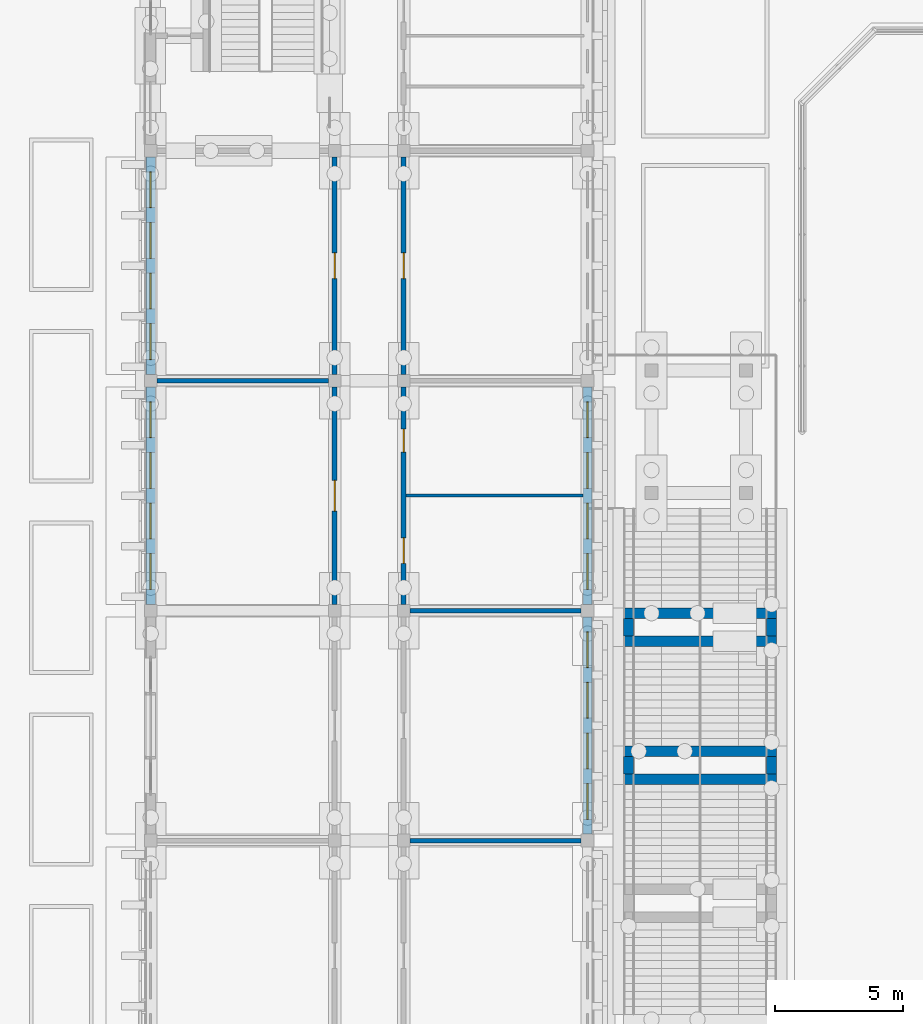
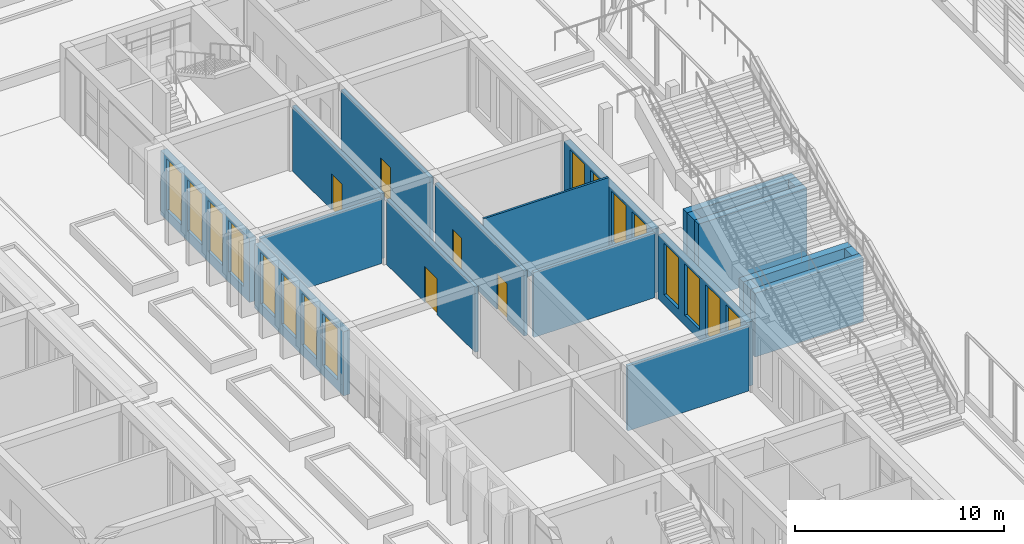
# One storey, part 72 of 161: 20 walls, 16 windows, 5 doors, 21 openings.
"""IFC4 building model written with IfcOpenShell, lengths in metres."""

from ifc_helpers import new_model, si_unit, direction, frame, frame_2d, origin, place, context, subcontext, project, spatial, rectangle, extrude, material, layer, layer_set, type_object, element, fill, save


model = new_model("IFC4")

# Units and contexts
model_context = context("Model", 3, precision=1e-05, world=origin(), true_north=direction((0.0, 1.0)))
body_context = subcontext(model_context, "Body", "Model", "MODEL_VIEW")
ifc_project = project(units=[si_unit("LENGTHUNIT", "METRE"), si_unit("AREAUNIT", "SQUARE_METRE"), si_unit("VOLUMEUNIT", "CUBIC_METRE"), si_unit("PLANEANGLEUNIT", "RADIAN"), si_unit("MASSUNIT", "GRAM", prefix="KILO")], contexts=[model_context])

# Site, building, storey
site_placement = place(None, origin())
site = spatial("IfcSite", under=ifc_project, at=site_placement, CompositionType="ELEMENT")
building_placement = place(site_placement, origin())
building = spatial("IfcBuilding", under=site, at=building_placement, Name="Elbe Cascade School", CompositionType="ELEMENT")
storey_placement = place(building_placement, origin())
storey = spatial("IfcBuildingStorey", under=building, at=storey_placement, Name="L00", CompositionType="ELEMENT", Elevation=0.0)

# Walls
ifc_material_1 = material(Name="Masonry - lime-sand block, plastered", Category="masonry")
ifc_layer_1 = layer(ifc_material_1, 0.175048828125)
ifc_layer_set_1 = layer_set([ifc_layer_1], Name="Masonry - lime-sand block, plastered")
wall_type_1 = type_object("IfcWallType", Name="Bar classroom partition wall lime-sand block 175", PredefinedType="PARTITIONING", material=ifc_layer_set_1)
for number, where, z_axis, x_axis, name in (
    (1, (158.050048828125, 42.0, 0.0), (0.0, 0.0, 1.0), (1.0, 0.0, 0.0), "Bar classroom partition wall lime-sand block 175"),
    (2, (167.949951171875, 24.0, 0.0), (0.0, 0.0, 1.0), (1.0, 0.0, 0.0), "Bar classroom partition wall lime-sand block 175"),
    (3, (167.949951171875, 33.0, 0.0), (0.0, 0.0, 1.0), (1.0, 0.0, 0.0), "Bar classroom partition wall lime-sand block 175"),
):
    element("IfcWall", number, at=place(storey_placement, frame(where, z_axis=z_axis, x_axis=x_axis)), inside=storey, type_object=wall_type_1, Name=name, PredefinedType="PARTITIONING", context=body_context, shape_type="SweptSolid", body=[
        extrude(rectangle(XDim=6.699951171875, YDim=0.175048828125, at=frame_2d((3.35009765625, 0.0))), origin(), (0.0, 0.0, 1.0), 3.800048828125),
    ])

# Wall, opening, door
ifc_material_2 = material(Name="Masonry - lime-sand block, plastered", Category="masonry")
ifc_layer_2 = layer(ifc_material_2, 0.199951171875)
ifc_layer_set_2 = layer_set([ifc_layer_2], Name="Masonry - lime-sand block, plastered")
wall_type_2 = type_object("IfcWallType", Name="Bar corridor wall lime-sand block 200 EI 30", PredefinedType="PARTITIONING", material=ifc_layer_set_2)
wall_1_placement = place(storey_placement, frame((165.0, 33.25, 0.0), z_axis=(0.0, 0.0, 1.0), x_axis=(0.0, 1.0, 0.0)))
wall_1 = element("IfcWall", 4, at=wall_1_placement, inside=storey, type_object=wall_type_2, Name="Bar corridor wall lime-sand block 200 EI 30", PredefinedType="PARTITIONING", context=body_context, shape_type="SweptSolid", body=[
    extrude(rectangle(XDim=8.5, YDim=0.199951171875, at=frame_2d((4.25, 0.0))), origin(), (0.0, 0.0, 1.0), 3.800048828125),
])
opening_1_placement = place(wall_1_placement, frame((3.64990234375, 0.0, 0.0)))
opening_1 = element("IfcOpeningElement", 5, at=opening_1_placement, cuts=wall_1, Name="Opening D0.114", PredefinedType="OPENING", context=body_context, shape_type="SweptSolid", body=[
    extrude(rectangle(XDim=1.199951171875, YDim=2.10009765625, at=frame_2d((0.60009765625, 1.050048828125))), frame((0.0, 0.10986328125, 0.0), z_axis=(0.0, -1.0, 0.0), x_axis=(1.0, 0.0, 0.0)), (0.0, 0.0, 1.0), 0.219970703125),
])
ifc_material_3 = material(Name="Timber door leaf, fire-resisting, steel frame", Category="steel")
door_type_1 = type_object("IfcDoorType", Name="Bar door FD30 1200x2100", OperationType="NOTDEFINED", PredefinedType="DOOR", material=ifc_material_3)
door_1_placement = place(opening_1_placement, origin())
door_1 = element("IfcDoor", 6, at=door_1_placement, inside=storey, type_object=door_type_1, Name="Door D0.20b", OperationType="SINGLE_SWING_RIGHT", OverallHeight=2.10009765625, OverallWidth=1.199951171875, PredefinedType="DOOR", context=body_context, shape_type="SweptSolid", body=[
    extrude(rectangle(XDim=1.199951171875, YDim=2.10009765625, at=frame_2d((0.60009765625, 1.050048828125))), frame((0.0, 0.02490234375, 0.0), z_axis=(0.0, -1.0, 0.0), x_axis=(1.0, 0.0, 0.0)), (0.0, 0.0, 1.0), 0.050048828125),
])
fill(opening_1, door_1)

wall_2_placement = place(storey_placement, frame((165.0, 42.25, 0.0), z_axis=(0.0, 0.0, 1.0), x_axis=(0.0, 1.0, 0.0)))
wall_2 = element("IfcWall", 7, at=wall_2_placement, inside=storey, type_object=wall_type_2, Name="Bar corridor wall lime-sand block 200 EI 30", PredefinedType="PARTITIONING", context=body_context, shape_type="SweptSolid", body=[
    extrude(rectangle(XDim=8.5, YDim=0.199951171875, at=frame_2d((4.25, 0.0))), origin(), (0.0, 0.0, 1.0), 3.800048828125),
])
opening_2_placement = place(wall_2_placement, frame((3.75, 0.0, 0.0)))
opening_2 = element("IfcOpeningElement", 8, at=opening_2_placement, cuts=wall_2, Name="Opening D0.116", PredefinedType="OPENING", context=body_context, shape_type="SweptSolid", body=[
    extrude(rectangle(XDim=1.0, YDim=2.10009765625, at=frame_2d((0.5, 1.050048828125))), frame((0.0, 0.10986328125, 0.0), z_axis=(0.0, -1.0, 0.0), x_axis=(1.0, 0.0, 0.0)), (0.0, 0.0, 1.0), 0.219970703125),
])
ifc_material_4 = material(Name="Timber door leaf, fire-resisting, steel frame", Category="steel")
door_type_2 = type_object("IfcDoorType", Name="Bar door FD30 1000x2100", OperationType="NOTDEFINED", PredefinedType="DOOR", material=ifc_material_4)
door_2_placement = place(opening_2_placement, origin())
door_2 = element("IfcDoor", 9, at=door_2_placement, inside=storey, type_object=door_type_2, Name="Door D0.21", OperationType="SINGLE_SWING_RIGHT", OverallHeight=2.10009765625, OverallWidth=1.0, PredefinedType="DOOR", context=body_context, shape_type="SweptSolid", body=[
    extrude(rectangle(XDim=1.0, YDim=2.10009765625, at=frame_2d((0.5, 1.050048828125))), frame((0.0, 0.02490234375, 0.0), z_axis=(0.0, -1.0, 0.0), x_axis=(1.0, 0.0, 0.0)), (0.0, 0.0, 1.0), 0.050048828125),
])
fill(opening_2, door_2)

# Wall, openings, doors
wall_3_placement = place(storey_placement, frame((167.699951171875, 41.75, 0.0), z_axis=(0.0, 0.0, 1.0), x_axis=(0.0, -1.0, 0.0)))
wall_3 = element("IfcWall", 10, at=wall_3_placement, inside=storey, type_object=wall_type_2, Name="Bar corridor wall lime-sand block 200 EI 30", PredefinedType="PARTITIONING", context=body_context, shape_type="SweptSolid", body=[
    extrude(rectangle(XDim=8.5, YDim=0.199951171875, at=frame_2d((4.25, 0.0))), origin(), (0.0, 0.0, 1.0), 3.800048828125),
])
opening_3_placement = place(wall_3_placement, frame((5.90380859375, 0.0, 0.0)))
opening_3 = element("IfcOpeningElement", 11, at=opening_3_placement, cuts=wall_3, Name="Opening D0.113", PredefinedType="OPENING", context=body_context, shape_type="SweptSolid", body=[
    extrude(rectangle(XDim=1.0, YDim=2.10009765625, at=frame_2d((0.5, 1.050048828125))), frame((0.0, 0.10986328125, 0.0), z_axis=(0.0, -1.0, 0.0), x_axis=(1.0, 0.0, 0.0)), (0.0, 0.0, 1.0), 0.219970703125),
])
opening_4_placement = place(wall_3_placement, frame((1.646240234375, 0.0, 0.0)))
opening_4 = element("IfcOpeningElement", 12, at=opening_4_placement, cuts=wall_3, Name="Opening D0.115", PredefinedType="OPENING", context=body_context, shape_type="SweptSolid", body=[
    extrude(rectangle(XDim=0.89990234375, YDim=2.10009765625, at=frame_2d((0.449951171875, 1.050048828125))), frame((0.0, 0.10986328125, 0.0), z_axis=(0.0, -1.0, 0.0), x_axis=(1.0, 0.0, 0.0)), (0.0, 0.0, 1.0), 0.219970703125),
])
door_3_placement = place(opening_3_placement, origin())
door_3 = element("IfcDoor", 13, at=door_3_placement, inside=storey, type_object=door_type_2, Name="Door D0.24", OperationType="SINGLE_SWING_LEFT", OverallHeight=2.10009765625, OverallWidth=1.0, PredefinedType="DOOR", context=body_context, shape_type="SweptSolid", body=[
    extrude(rectangle(XDim=1.0, YDim=2.10009765625, at=frame_2d((0.5, 1.050048828125))), frame((0.0, 0.02490234375, 0.0), z_axis=(0.0, -1.0, 0.0), x_axis=(1.0, 0.0, 0.0)), (0.0, 0.0, 1.0), 0.050048828125),
])
fill(opening_3, door_3)
ifc_material_5 = material(Name="Timber door leaf, fire-resisting, steel frame", Category="steel")
door_type_3 = type_object("IfcDoorType", Name="Bar door FD30 900x2100", OperationType="NOTDEFINED", PredefinedType="DOOR", material=ifc_material_5)
door_4_placement = place(opening_4_placement, origin())
door_4 = element("IfcDoor", 14, at=door_4_placement, inside=storey, type_object=door_type_3, Name="Door D0.25", OperationType="SINGLE_SWING_RIGHT", OverallHeight=2.10009765625, OverallWidth=0.89990234375, PredefinedType="DOOR", context=body_context, shape_type="SweptSolid", body=[
    extrude(rectangle(XDim=0.89990234375, YDim=2.10009765625, at=frame_2d((0.449951171875, 1.050048828125))), frame((0.0, 0.02490234375, 0.0), z_axis=(0.0, -1.0, 0.0), x_axis=(1.0, 0.0, 0.0)), (0.0, 0.0, 1.0), 0.050048828125),
])
fill(opening_4, door_4)

# Wall, opening, door
wall_4_placement = place(storey_placement, frame((167.699951171875, 50.75, 0.0), z_axis=(0.0, 0.0, 1.0), x_axis=(0.0, -1.0, 0.0)))
wall_4 = element("IfcWall", 15, at=wall_4_placement, inside=storey, type_object=wall_type_2, Name="Bar corridor wall lime-sand block 200 EI 30", PredefinedType="PARTITIONING", context=body_context, shape_type="SweptSolid", body=[
    extrude(rectangle(XDim=8.5, YDim=0.199951171875, at=frame_2d((4.25, 0.0))), origin(), (0.0, 0.0, 1.0), 3.800048828125),
])
opening_5_placement = place(wall_4_placement, frame((3.75, 0.0, 0.0)))
opening_5 = element("IfcOpeningElement", 16, at=opening_5_placement, cuts=wall_4, Name="Opening D0.117", PredefinedType="OPENING", context=body_context, shape_type="SweptSolid", body=[
    extrude(rectangle(XDim=1.0, YDim=2.10009765625, at=frame_2d((0.5, 1.050048828125))), frame((0.0, 0.10986328125, 0.0), z_axis=(0.0, -1.0, 0.0), x_axis=(1.0, 0.0, 0.0)), (0.0, 0.0, 1.0), 0.219970703125),
])
door_5_placement = place(opening_5_placement, origin())
door_5 = element("IfcDoor", 17, at=door_5_placement, inside=storey, type_object=door_type_2, Name="Door D0.26", OperationType="SINGLE_SWING_LEFT", OverallHeight=2.10009765625, OverallWidth=1.0, PredefinedType="DOOR", context=body_context, shape_type="SweptSolid", body=[
    extrude(rectangle(XDim=1.0, YDim=2.10009765625, at=frame_2d((0.5, 1.050048828125))), frame((0.0, 0.02490234375, 0.0), z_axis=(0.0, -1.0, 0.0), x_axis=(1.0, 0.0, 0.0)), (0.0, 0.0, 1.0), 0.050048828125),
])
fill(opening_5, door_5)

# Wall
ifc_material_6 = material(Name="Masonry - lime-sand block, plastered", Category="masonry")
ifc_layer_3 = layer(ifc_material_6, 0.114990234375)
ifc_layer_set_3 = layer_set([ifc_layer_3], Name="Masonry - lime-sand block, plastered")
wall_type_3 = type_object("IfcWallType", Name="Bar light partition wall lime-sand block 115", PredefinedType="PARTITIONING", material=ifc_layer_set_3)
wall_5_placement = place(storey_placement, frame((167.800048828125, 37.5, 0.0), z_axis=(0.0, 0.0, 1.0), x_axis=(1.0, 0.0, 0.0)))
element("IfcWall", 18, at=wall_5_placement, inside=storey, type_object=wall_type_3, Name="Bar light partition wall lime-sand block 115", PredefinedType="PARTITIONING", context=body_context, shape_type="SweptSolid", body=[
    extrude(rectangle(XDim=6.919921875, YDim=0.114990234375, at=frame_2d((3.4599609375, 0.0))), origin(), (0.0, 0.0, 1.0), 4.25),
])

# Wall, openings, windows
ifc_material_7 = material(Name="Brick masonry - red clinker, cavity wall with render backing", Category="masonry")
ifc_layer_4 = layer(ifc_material_7, 0.360107421875)
ifc_layer_set_4 = layer_set([ifc_layer_4], Name="Brick masonry - red clinker, cavity wall with render backing")
wall_type_4 = type_object("IfcWallType", Name="Bars envelope External wall - clinker brick cavity, 360 ground floor", PredefinedType="STANDARD", material=ifc_layer_set_4)
wall_6_placement = place(storey_placement, frame((157.800048828125, 33.25, 0.0), z_axis=(0.0, 0.0, 1.0), x_axis=(0.0, 1.0, 0.0)))
wall_6 = element("IfcWall", 19, at=wall_6_placement, inside=storey, type_object=wall_type_4, Name="External wall W29 D.L00.w4", PredefinedType="STANDARD", context=body_context, shape_type="SweptSolid", body=[
    extrude(rectangle(XDim=8.5, YDim=0.360107421875, at=frame_2d((4.25, 0.0))), origin(), (0.0, 0.0, 1.0), 3.75),
])
opening_6_placement = place(wall_6_placement, frame((0.580078125, 0.0, 0.60009765625)))
opening_6 = element("IfcOpeningElement", 20, at=opening_6_placement, cuts=wall_6, Name="Opening W0.105", PredefinedType="OPENING", context=body_context, shape_type="SweptSolid", body=[
    extrude(rectangle(XDim=1.39990234375, YDim=3.0, at=frame_2d((0.699951171875, 1.5))), frame((0.0, 0.18994140625, 0.0), z_axis=(0.0, -1.0, 0.0), x_axis=(1.0, 0.0, 0.0)), (0.0, 0.0, 1.0), 0.380126953125),
])
opening_7_placement = place(wall_6_placement, frame((2.56005859375, 0.0, 0.60009765625)))
opening_7 = element("IfcOpeningElement", 21, at=opening_7_placement, cuts=wall_6, Name="Opening W0.107", PredefinedType="OPENING", context=body_context, shape_type="SweptSolid", body=[
    extrude(rectangle(XDim=1.39990234375, YDim=3.0, at=frame_2d((0.699951171875, 1.5))), frame((0.0, 0.18994140625, 0.0), z_axis=(0.0, -1.0, 0.0), x_axis=(1.0, 0.0, 0.0)), (0.0, 0.0, 1.0), 0.380126953125),
])
opening_8_placement = place(wall_6_placement, frame((4.5400390625, 0.0, 0.60009765625)))
opening_8 = element("IfcOpeningElement", 22, at=opening_8_placement, cuts=wall_6, Name="Opening W0.109", PredefinedType="OPENING", context=body_context, shape_type="SweptSolid", body=[
    extrude(rectangle(XDim=1.39990234375, YDim=3.0, at=frame_2d((0.699951171875, 1.5))), frame((0.0, 0.18994140625, 0.0), z_axis=(0.0, -1.0, 0.0), x_axis=(1.0, 0.0, 0.0)), (0.0, 0.0, 1.0), 0.380126953125),
])
opening_9_placement = place(wall_6_placement, frame((6.52001953125, 0.0, 0.60009765625)))
opening_9 = element("IfcOpeningElement", 23, at=opening_9_placement, cuts=wall_6, Name="Opening W0.111", PredefinedType="OPENING", context=body_context, shape_type="SweptSolid", body=[
    extrude(rectangle(XDim=1.39990234375, YDim=3.0, at=frame_2d((0.699951171875, 1.5))), frame((0.0, 0.18994140625, 0.0), z_axis=(0.0, -1.0, 0.0), x_axis=(1.0, 0.0, 0.0)), (0.0, 0.0, 1.0), 0.380126953125),
])
ifc_material_8 = material(Name="Aluminium frame with double glazing, bronze anodised", Category="aluminium")
window_type_1 = type_object("IfcWindowType", Name="Bars envelope Window 1400 x 3000, classroom, aluminium double glazed", PartitioningType="DOUBLE_PANEL_VERTICAL", PredefinedType="WINDOW", material=ifc_material_8)
window_1_placement = place(opening_6_placement, origin())
window_1 = element("IfcWindow", 24, at=window_1_placement, inside=storey, type_object=window_type_1, Name="Window WN12 D.L00.w4.1", OverallHeight=3.0, OverallWidth=1.39990234375, PartitioningType="DOUBLE_PANEL_VERTICAL", PredefinedType="WINDOW", context=body_context, shape_type="SweptSolid", body=[
    extrude(rectangle(XDim=1.39990234375, YDim=3.0, at=frame_2d((0.699951171875, 1.5))), frame((0.0, 0.030029296875, 0.0), z_axis=(0.0, -1.0, 0.0), x_axis=(1.0, 0.0, 0.0)), (0.0, 0.0, 1.0), 0.06005859375),
])
fill(opening_6, window_1)
window_2_placement = place(opening_7_placement, origin())
window_2 = element("IfcWindow", 25, at=window_2_placement, inside=storey, type_object=window_type_1, Name="Window WN12 D.L00.w4.2", OverallHeight=3.0, OverallWidth=1.39990234375, PartitioningType="DOUBLE_PANEL_VERTICAL", PredefinedType="WINDOW", context=body_context, shape_type="SweptSolid", body=[
    extrude(rectangle(XDim=1.39990234375, YDim=3.0, at=frame_2d((0.699951171875, 1.5))), frame((0.0, 0.030029296875, 0.0), z_axis=(0.0, -1.0, 0.0), x_axis=(1.0, 0.0, 0.0)), (0.0, 0.0, 1.0), 0.06005859375),
])
fill(opening_7, window_2)
window_3_placement = place(opening_8_placement, origin())
window_3 = element("IfcWindow", 26, at=window_3_placement, inside=storey, type_object=window_type_1, Name="Window WN12 D.L00.w4.3", OverallHeight=3.0, OverallWidth=1.39990234375, PartitioningType="DOUBLE_PANEL_VERTICAL", PredefinedType="WINDOW", context=body_context, shape_type="SweptSolid", body=[
    extrude(rectangle(XDim=1.39990234375, YDim=3.0, at=frame_2d((0.699951171875, 1.5))), frame((0.0, 0.030029296875, 0.0), z_axis=(0.0, -1.0, 0.0), x_axis=(1.0, 0.0, 0.0)), (0.0, 0.0, 1.0), 0.06005859375),
])
fill(opening_8, window_3)
window_4_placement = place(opening_9_placement, origin())
window_4 = element("IfcWindow", 27, at=window_4_placement, inside=storey, type_object=window_type_1, Name="Window WN12 D.L00.w4.4", OverallHeight=3.0, OverallWidth=1.39990234375, PartitioningType="DOUBLE_PANEL_VERTICAL", PredefinedType="WINDOW", context=body_context, shape_type="SweptSolid", body=[
    extrude(rectangle(XDim=1.39990234375, YDim=3.0, at=frame_2d((0.699951171875, 1.5))), frame((0.0, 0.030029296875, 0.0), z_axis=(0.0, -1.0, 0.0), x_axis=(1.0, 0.0, 0.0)), (0.0, 0.0, 1.0), 0.06005859375),
])
fill(opening_9, window_4)

wall_7_placement = place(storey_placement, frame((157.800048828125, 42.25, 0.0), z_axis=(0.0, 0.0, 1.0), x_axis=(0.0, 1.0, 0.0)))
wall_7 = element("IfcWall", 28, at=wall_7_placement, inside=storey, type_object=wall_type_4, Name="External wall W29 D.L00.w5", PredefinedType="STANDARD", context=body_context, shape_type="SweptSolid", body=[
    extrude(rectangle(XDim=8.5, YDim=0.360107421875, at=frame_2d((4.25, 0.0))), origin(), (0.0, 0.0, 1.0), 3.75),
])
opening_10_placement = place(wall_7_placement, frame((0.580078125, 0.0, 0.60009765625)))
opening_10 = element("IfcOpeningElement", 29, at=opening_10_placement, cuts=wall_7, Name="Opening W0.113", PredefinedType="OPENING", context=body_context, shape_type="SweptSolid", body=[
    extrude(rectangle(XDim=1.39990234375, YDim=3.0, at=frame_2d((0.699951171875, 1.5))), frame((0.0, 0.18994140625, 0.0), z_axis=(0.0, -1.0, 0.0), x_axis=(1.0, 0.0, 0.0)), (0.0, 0.0, 1.0), 0.380126953125),
])
opening_11_placement = place(wall_7_placement, frame((2.56005859375, 0.0, 0.60009765625)))
opening_11 = element("IfcOpeningElement", 30, at=opening_11_placement, cuts=wall_7, Name="Opening W0.115", PredefinedType="OPENING", context=body_context, shape_type="SweptSolid", body=[
    extrude(rectangle(XDim=1.39990234375, YDim=3.0, at=frame_2d((0.699951171875, 1.5))), frame((0.0, 0.18994140625, 0.0), z_axis=(0.0, -1.0, 0.0), x_axis=(1.0, 0.0, 0.0)), (0.0, 0.0, 1.0), 0.380126953125),
])
opening_12_placement = place(wall_7_placement, frame((4.5400390625, 0.0, 0.60009765625)))
opening_12 = element("IfcOpeningElement", 31, at=opening_12_placement, cuts=wall_7, Name="Opening W0.117", PredefinedType="OPENING", context=body_context, shape_type="SweptSolid", body=[
    extrude(rectangle(XDim=1.39990234375, YDim=3.0, at=frame_2d((0.699951171875, 1.5))), frame((0.0, 0.18994140625, 0.0), z_axis=(0.0, -1.0, 0.0), x_axis=(1.0, 0.0, 0.0)), (0.0, 0.0, 1.0), 0.380126953125),
])
opening_13_placement = place(wall_7_placement, frame((6.52001953125, 0.0, 0.60009765625)))
opening_13 = element("IfcOpeningElement", 32, at=opening_13_placement, cuts=wall_7, Name="Opening W0.119", PredefinedType="OPENING", context=body_context, shape_type="SweptSolid", body=[
    extrude(rectangle(XDim=1.39990234375, YDim=3.0, at=frame_2d((0.699951171875, 1.5))), frame((0.0, 0.18994140625, 0.0), z_axis=(0.0, -1.0, 0.0), x_axis=(1.0, 0.0, 0.0)), (0.0, 0.0, 1.0), 0.380126953125),
])
window_5_placement = place(opening_10_placement, origin())
window_5 = element("IfcWindow", 33, at=window_5_placement, inside=storey, type_object=window_type_1, Name="Window WN12 D.L00.w5.1", OverallHeight=3.0, OverallWidth=1.39990234375, PartitioningType="DOUBLE_PANEL_VERTICAL", PredefinedType="WINDOW", context=body_context, shape_type="SweptSolid", body=[
    extrude(rectangle(XDim=1.39990234375, YDim=3.0, at=frame_2d((0.699951171875, 1.5))), frame((0.0, 0.030029296875, 0.0), z_axis=(0.0, -1.0, 0.0), x_axis=(1.0, 0.0, 0.0)), (0.0, 0.0, 1.0), 0.06005859375),
])
fill(opening_10, window_5)
window_6_placement = place(opening_11_placement, origin())
window_6 = element("IfcWindow", 34, at=window_6_placement, inside=storey, type_object=window_type_1, Name="Window WN12 D.L00.w5.2", OverallHeight=3.0, OverallWidth=1.39990234375, PartitioningType="DOUBLE_PANEL_VERTICAL", PredefinedType="WINDOW", context=body_context, shape_type="SweptSolid", body=[
    extrude(rectangle(XDim=1.39990234375, YDim=3.0, at=frame_2d((0.699951171875, 1.5))), frame((0.0, 0.030029296875, 0.0), z_axis=(0.0, -1.0, 0.0), x_axis=(1.0, 0.0, 0.0)), (0.0, 0.0, 1.0), 0.06005859375),
])
fill(opening_11, window_6)
window_7_placement = place(opening_12_placement, origin())
window_7 = element("IfcWindow", 35, at=window_7_placement, inside=storey, type_object=window_type_1, Name="Window WN12 D.L00.w5.3", OverallHeight=3.0, OverallWidth=1.39990234375, PartitioningType="DOUBLE_PANEL_VERTICAL", PredefinedType="WINDOW", context=body_context, shape_type="SweptSolid", body=[
    extrude(rectangle(XDim=1.39990234375, YDim=3.0, at=frame_2d((0.699951171875, 1.5))), frame((0.0, 0.030029296875, 0.0), z_axis=(0.0, -1.0, 0.0), x_axis=(1.0, 0.0, 0.0)), (0.0, 0.0, 1.0), 0.06005859375),
])
fill(opening_12, window_7)
window_8_placement = place(opening_13_placement, origin())
window_8 = element("IfcWindow", 36, at=window_8_placement, inside=storey, type_object=window_type_1, Name="Window WN12 D.L00.w5.4", OverallHeight=3.0, OverallWidth=1.39990234375, PartitioningType="DOUBLE_PANEL_VERTICAL", PredefinedType="WINDOW", context=body_context, shape_type="SweptSolid", body=[
    extrude(rectangle(XDim=1.39990234375, YDim=3.0, at=frame_2d((0.699951171875, 1.5))), frame((0.0, 0.030029296875, 0.0), z_axis=(0.0, -1.0, 0.0), x_axis=(1.0, 0.0, 0.0)), (0.0, 0.0, 1.0), 0.06005859375),
])
fill(opening_13, window_8)

wall_8_placement = place(storey_placement, frame((174.89990234375, 32.75, 0.0), z_axis=(0.0, 0.0, 1.0), x_axis=(0.0, -1.0, 0.0)))
wall_8 = element("IfcWall", 37, at=wall_8_placement, inside=storey, type_object=wall_type_4, Name="External wall W29 D.L00.e3", PredefinedType="STANDARD", context=body_context, shape_type="SweptSolid", body=[
    extrude(rectangle(XDim=8.5, YDim=0.360107421875, at=frame_2d((4.25, 0.0))), origin(), (0.0, 0.0, 1.0), 3.75),
])
opening_14_placement = place(wall_8_placement, frame((6.52001953125, 0.0, 0.60009765625)))
opening_14 = element("IfcOpeningElement", 38, at=opening_14_placement, cuts=wall_8, Name="Opening W0.101", PredefinedType="OPENING", context=body_context, shape_type="SweptSolid", body=[
    extrude(rectangle(XDim=1.39990234375, YDim=3.0, at=frame_2d((0.699951171875, 1.5))), frame((0.0, 0.18994140625, 0.0), z_axis=(0.0, -1.0, 0.0), x_axis=(1.0, 0.0, 0.0)), (0.0, 0.0, 1.0), 0.380126953125),
])
opening_15_placement = place(wall_8_placement, frame((4.5400390625, 0.0, 0.60009765625)))
opening_15 = element("IfcOpeningElement", 39, at=opening_15_placement, cuts=wall_8, Name="Opening W0.102", PredefinedType="OPENING", context=body_context, shape_type="SweptSolid", body=[
    extrude(rectangle(XDim=1.39990234375, YDim=3.0, at=frame_2d((0.699951171875, 1.5))), frame((0.0, 0.18994140625, 0.0), z_axis=(0.0, -1.0, 0.0), x_axis=(1.0, 0.0, 0.0)), (0.0, 0.0, 1.0), 0.380126953125),
])
opening_16_placement = place(wall_8_placement, frame((2.56005859375, 0.0, 0.60009765625)))
opening_16 = element("IfcOpeningElement", 40, at=opening_16_placement, cuts=wall_8, Name="Opening W0.103", PredefinedType="OPENING", context=body_context, shape_type="SweptSolid", body=[
    extrude(rectangle(XDim=1.39990234375, YDim=3.0, at=frame_2d((0.699951171875, 1.5))), frame((0.0, 0.18994140625, 0.0), z_axis=(0.0, -1.0, 0.0), x_axis=(1.0, 0.0, 0.0)), (0.0, 0.0, 1.0), 0.380126953125),
])
opening_17_placement = place(wall_8_placement, frame((0.580078125, 0.0, 0.60009765625)))
opening_17 = element("IfcOpeningElement", 41, at=opening_17_placement, cuts=wall_8, Name="Opening W0.104", PredefinedType="OPENING", context=body_context, shape_type="SweptSolid", body=[
    extrude(rectangle(XDim=1.39990234375, YDim=3.0, at=frame_2d((0.699951171875, 1.5))), frame((0.0, 0.18994140625, 0.0), z_axis=(0.0, -1.0, 0.0), x_axis=(1.0, 0.0, 0.0)), (0.0, 0.0, 1.0), 0.380126953125),
])
window_9_placement = place(opening_14_placement, origin())
window_9 = element("IfcWindow", 42, at=window_9_placement, inside=storey, type_object=window_type_1, Name="Window WN12 D.L00.e3.1", OverallHeight=3.0, OverallWidth=1.39990234375, PartitioningType="DOUBLE_PANEL_VERTICAL", PredefinedType="WINDOW", context=body_context, shape_type="SweptSolid", body=[
    extrude(rectangle(XDim=1.39990234375, YDim=3.0, at=frame_2d((0.699951171875, 1.5))), frame((0.0, 0.030029296875, 0.0), z_axis=(0.0, -1.0, 0.0), x_axis=(1.0, 0.0, 0.0)), (0.0, 0.0, 1.0), 0.06005859375),
])
fill(opening_14, window_9)
window_10_placement = place(opening_15_placement, origin())
window_10 = element("IfcWindow", 43, at=window_10_placement, inside=storey, type_object=window_type_1, Name="Window WN12 D.L00.e3.2", OverallHeight=3.0, OverallWidth=1.39990234375, PartitioningType="DOUBLE_PANEL_VERTICAL", PredefinedType="WINDOW", context=body_context, shape_type="SweptSolid", body=[
    extrude(rectangle(XDim=1.39990234375, YDim=3.0, at=frame_2d((0.699951171875, 1.5))), frame((0.0, 0.030029296875, 0.0), z_axis=(0.0, -1.0, 0.0), x_axis=(1.0, 0.0, 0.0)), (0.0, 0.0, 1.0), 0.06005859375),
])
fill(opening_15, window_10)
window_11_placement = place(opening_16_placement, origin())
window_11 = element("IfcWindow", 44, at=window_11_placement, inside=storey, type_object=window_type_1, Name="Window WN12 D.L00.e3.3", OverallHeight=3.0, OverallWidth=1.39990234375, PartitioningType="DOUBLE_PANEL_VERTICAL", PredefinedType="WINDOW", context=body_context, shape_type="SweptSolid", body=[
    extrude(rectangle(XDim=1.39990234375, YDim=3.0, at=frame_2d((0.699951171875, 1.5))), frame((0.0, 0.030029296875, 0.0), z_axis=(0.0, -1.0, 0.0), x_axis=(1.0, 0.0, 0.0)), (0.0, 0.0, 1.0), 0.06005859375),
])
fill(opening_16, window_11)
window_12_placement = place(opening_17_placement, origin())
window_12 = element("IfcWindow", 45, at=window_12_placement, inside=storey, type_object=window_type_1, Name="Window WN12 D.L00.e3.4", OverallHeight=3.0, OverallWidth=1.39990234375, PartitioningType="DOUBLE_PANEL_VERTICAL", PredefinedType="WINDOW", context=body_context, shape_type="SweptSolid", body=[
    extrude(rectangle(XDim=1.39990234375, YDim=3.0, at=frame_2d((0.699951171875, 1.5))), frame((0.0, 0.030029296875, 0.0), z_axis=(0.0, -1.0, 0.0), x_axis=(1.0, 0.0, 0.0)), (0.0, 0.0, 1.0), 0.06005859375),
])
fill(opening_17, window_12)

wall_9_placement = place(storey_placement, frame((174.89990234375, 41.75, 0.0), z_axis=(0.0, 0.0, 1.0), x_axis=(0.0, -1.0, 0.0)))
wall_9 = element("IfcWall", 46, at=wall_9_placement, inside=storey, type_object=wall_type_4, Name="External wall W29 D.L00.e4", PredefinedType="STANDARD", context=body_context, shape_type="SweptSolid", body=[
    extrude(rectangle(XDim=8.5, YDim=0.360107421875, at=frame_2d((4.25, 0.0))), origin(), (0.0, 0.0, 1.0), 3.75),
])
opening_18_placement = place(wall_9_placement, frame((6.52001953125, 0.0, 0.60009765625)))
opening_18 = element("IfcOpeningElement", 47, at=opening_18_placement, cuts=wall_9, Name="Opening W0.106", PredefinedType="OPENING", context=body_context, shape_type="SweptSolid", body=[
    extrude(rectangle(XDim=1.39990234375, YDim=3.0, at=frame_2d((0.699951171875, 1.5))), frame((0.0, 0.18994140625, 0.0), z_axis=(0.0, -1.0, 0.0), x_axis=(1.0, 0.0, 0.0)), (0.0, 0.0, 1.0), 0.380126953125),
])
opening_19_placement = place(wall_9_placement, frame((4.5400390625, 0.0, 0.60009765625)))
opening_19 = element("IfcOpeningElement", 48, at=opening_19_placement, cuts=wall_9, Name="Opening W0.108", PredefinedType="OPENING", context=body_context, shape_type="SweptSolid", body=[
    extrude(rectangle(XDim=1.39990234375, YDim=3.0, at=frame_2d((0.699951171875, 1.5))), frame((0.0, 0.18994140625, 0.0), z_axis=(0.0, -1.0, 0.0), x_axis=(1.0, 0.0, 0.0)), (0.0, 0.0, 1.0), 0.380126953125),
])
opening_20_placement = place(wall_9_placement, frame((2.56005859375, 0.0, 0.89990234375)))
opening_20 = element("IfcOpeningElement", 49, at=opening_20_placement, cuts=wall_9, Name="Opening W0.110", PredefinedType="OPENING", context=body_context, shape_type="SweptSolid", body=[
    extrude(rectangle(XDim=1.39990234375, YDim=2.699951171875, at=frame_2d((0.699951171875, 1.35009765625))), frame((0.0, 0.18994140625, 0.0), z_axis=(0.0, -1.0, 0.0), x_axis=(1.0, 0.0, 0.0)), (0.0, 0.0, 1.0), 0.380126953125),
])
opening_21_placement = place(wall_9_placement, frame((0.580078125, 0.0, 0.89990234375)))
opening_21 = element("IfcOpeningElement", 50, at=opening_21_placement, cuts=wall_9, Name="Opening W0.112", PredefinedType="OPENING", context=body_context, shape_type="SweptSolid", body=[
    extrude(rectangle(XDim=1.39990234375, YDim=2.699951171875, at=frame_2d((0.699951171875, 1.35009765625))), frame((0.0, 0.18994140625, 0.0), z_axis=(0.0, -1.0, 0.0), x_axis=(1.0, 0.0, 0.0)), (0.0, 0.0, 1.0), 0.380126953125),
])
ifc_material_9 = material(Name="Aluminium frame with double glazing, bronze anodised", Category="aluminium")
window_type_2 = type_object("IfcWindowType", Name="Bars envelope Window 1400 x 2700, laboratory and office, bench height sill, aluminium double glazed", PartitioningType="DOUBLE_PANEL_VERTICAL", PredefinedType="WINDOW", material=ifc_material_9)
window_13_placement = place(opening_20_placement, origin())
window_13 = element("IfcWindow", 51, at=window_13_placement, inside=storey, type_object=window_type_2, Name="Window WN14 D.L00.e4.3", OverallHeight=2.699951171875, OverallWidth=1.39990234375, PartitioningType="DOUBLE_PANEL_VERTICAL", PredefinedType="WINDOW", context=body_context, shape_type="SweptSolid", body=[
    extrude(rectangle(XDim=1.39990234375, YDim=2.699951171875, at=frame_2d((0.699951171875, 1.35009765625))), frame((0.0, 0.030029296875, 0.0), z_axis=(0.0, -1.0, 0.0), x_axis=(1.0, 0.0, 0.0)), (0.0, 0.0, 1.0), 0.06005859375),
])
fill(opening_20, window_13)
window_14_placement = place(opening_21_placement, origin())
window_14 = element("IfcWindow", 52, at=window_14_placement, inside=storey, type_object=window_type_2, Name="Window WN14 D.L00.e4.4", OverallHeight=2.699951171875, OverallWidth=1.39990234375, PartitioningType="DOUBLE_PANEL_VERTICAL", PredefinedType="WINDOW", context=body_context, shape_type="SweptSolid", body=[
    extrude(rectangle(XDim=1.39990234375, YDim=2.699951171875, at=frame_2d((0.699951171875, 1.35009765625))), frame((0.0, 0.030029296875, 0.0), z_axis=(0.0, -1.0, 0.0), x_axis=(1.0, 0.0, 0.0)), (0.0, 0.0, 1.0), 0.06005859375),
])
fill(opening_21, window_14)
window_15_placement = place(opening_18_placement, origin())
window_15 = element("IfcWindow", 53, at=window_15_placement, inside=storey, type_object=window_type_1, Name="Window WN12 D.L00.e4.1", OverallHeight=3.0, OverallWidth=1.39990234375, PartitioningType="DOUBLE_PANEL_VERTICAL", PredefinedType="WINDOW", context=body_context, shape_type="SweptSolid", body=[
    extrude(rectangle(XDim=1.39990234375, YDim=3.0, at=frame_2d((0.699951171875, 1.5))), frame((0.0, 0.030029296875, 0.0), z_axis=(0.0, -1.0, 0.0), x_axis=(1.0, 0.0, 0.0)), (0.0, 0.0, 1.0), 0.06005859375),
])
fill(opening_18, window_15)
window_16_placement = place(opening_19_placement, origin())
window_16 = element("IfcWindow", 54, at=window_16_placement, inside=storey, type_object=window_type_1, Name="Window WN12 D.L00.e4.2", OverallHeight=3.0, OverallWidth=1.39990234375, PartitioningType="DOUBLE_PANEL_VERTICAL", PredefinedType="WINDOW", context=body_context, shape_type="SweptSolid", body=[
    extrude(rectangle(XDim=1.39990234375, YDim=3.0, at=frame_2d((0.699951171875, 1.5))), frame((0.0, 0.030029296875, 0.0), z_axis=(0.0, -1.0, 0.0), x_axis=(1.0, 0.0, 0.0)), (0.0, 0.0, 1.0), 0.06005859375),
])
fill(opening_19, window_16)

# Walls
ifc_material_10 = material(Name="Concrete C30/37", Category="concrete")
ifc_layer_5 = layer(ifc_material_10, 0.39990234375)
ifc_layer_set_5 = layer_set([ifc_layer_5], Name="Concrete C30/37")
wall_type_5 = type_object("IfcWallType", Name="Cascade landing wall RC 400", PredefinedType="SHEAR", material=ifc_layer_set_5)
for number, where, z_axis, x_axis, name in (
    (55, (176.300048828125, 26.39990234375, 0.0), (0.0, 0.0, 1.0), (1.0, 0.0, 0.0), "Cascade steps landing 2 wall s"),
    (56, (176.300048828125, 27.5, 0.0), (0.0, 0.0, 1.0), (1.0, 0.0, 0.0), "Cascade steps landing 2 wall n"),
):
    element("IfcWall", number, at=place(storey_placement, frame(where, z_axis=z_axis, x_axis=x_axis)), inside=storey, type_object=wall_type_5, Name=name, PredefinedType="SHEAR", context=body_context, shape_type="SweptSolid", body=[
        extrude(rectangle(XDim=6.0, YDim=0.39990234375, at=frame_2d((3.0, 0.0))), origin(), (0.0, 0.0, 1.0), 3.7353515625),
    ])
for number, where, z_axis, x_axis, name in (
    (57, (176.5, 26.60009765625, 0.0), (0.0, 0.0, 1.0), (0.0, 1.0, 0.0), "Cascade steps landing 2 wall w"),
    (58, (182.10009765625, 26.60009765625, 0.0), (0.0, 0.0, 1.0), (0.0, 1.0, 0.0), "Cascade steps landing 2 wall e"),
):
    element("IfcWall", number, at=place(storey_placement, frame(where, z_axis=z_axis, x_axis=x_axis)), inside=storey, type_object=wall_type_5, Name=name, PredefinedType="SHEAR", context=body_context, shape_type="SweptSolid", body=[
        extrude(rectangle(XDim=0.699951171875, YDim=0.39990234375, at=frame_2d((0.35009765625, 0.0))), origin(), (0.0, 0.0, 1.0), 3.7353515625),
    ])
for number, where, z_axis, x_axis, name in (
    (59, (176.300048828125, 31.800048828125, 0.0), (0.0, 0.0, 1.0), (1.0, 0.0, 0.0), "Cascade steps landing 3 wall s"),
    (60, (176.300048828125, 32.89990234375, 0.0), (0.0, 0.0, 1.0), (1.0, 0.0, 0.0), "Cascade steps landing 3 wall n"),
):
    element("IfcWall", number, at=place(storey_placement, frame(where, z_axis=z_axis, x_axis=x_axis)), inside=storey, type_object=wall_type_5, Name=name, PredefinedType="SHEAR", context=body_context, shape_type="SweptSolid", body=[
        extrude(rectangle(XDim=6.0, YDim=0.39990234375, at=frame_2d((3.0, 0.0))), origin(), (0.0, 0.0, 1.0), 4.5),
    ])
for number, where, z_axis, x_axis, name in (
    (61, (176.5, 32.0, 0.0), (0.0, 0.0, 1.0), (0.0, 1.0, 0.0), "Cascade steps landing 3 wall w"),
    (62, (182.10009765625, 32.0, 0.0), (0.0, 0.0, 1.0), (0.0, 1.0, 0.0), "Cascade steps landing 3 wall e"),
):
    element("IfcWall", number, at=place(storey_placement, frame(where, z_axis=z_axis, x_axis=x_axis)), inside=storey, type_object=wall_type_5, Name=name, PredefinedType="SHEAR", context=body_context, shape_type="SweptSolid", body=[
        extrude(rectangle(XDim=0.699951171875, YDim=0.39990234375, at=frame_2d((0.35009765625, 0.0))), origin(), (0.0, 0.0, 1.0), 4.5),
    ])

save(model, "model.ifc")
